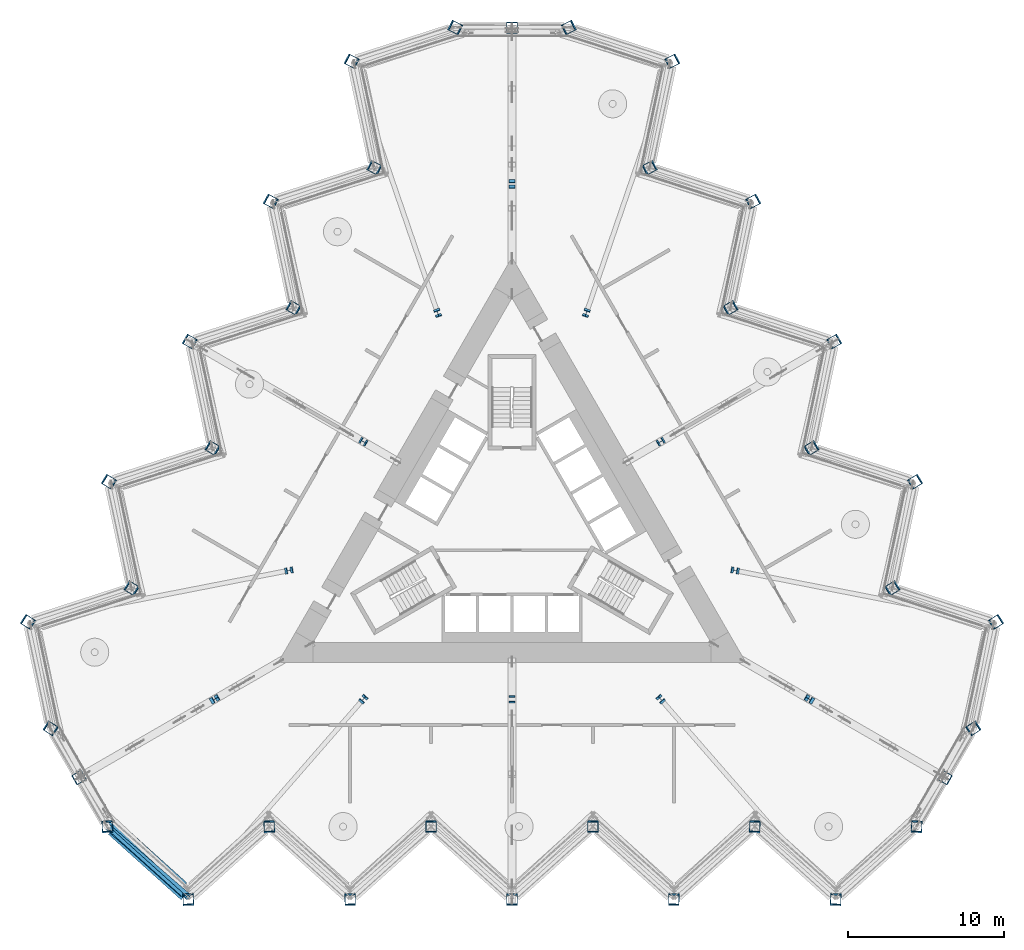
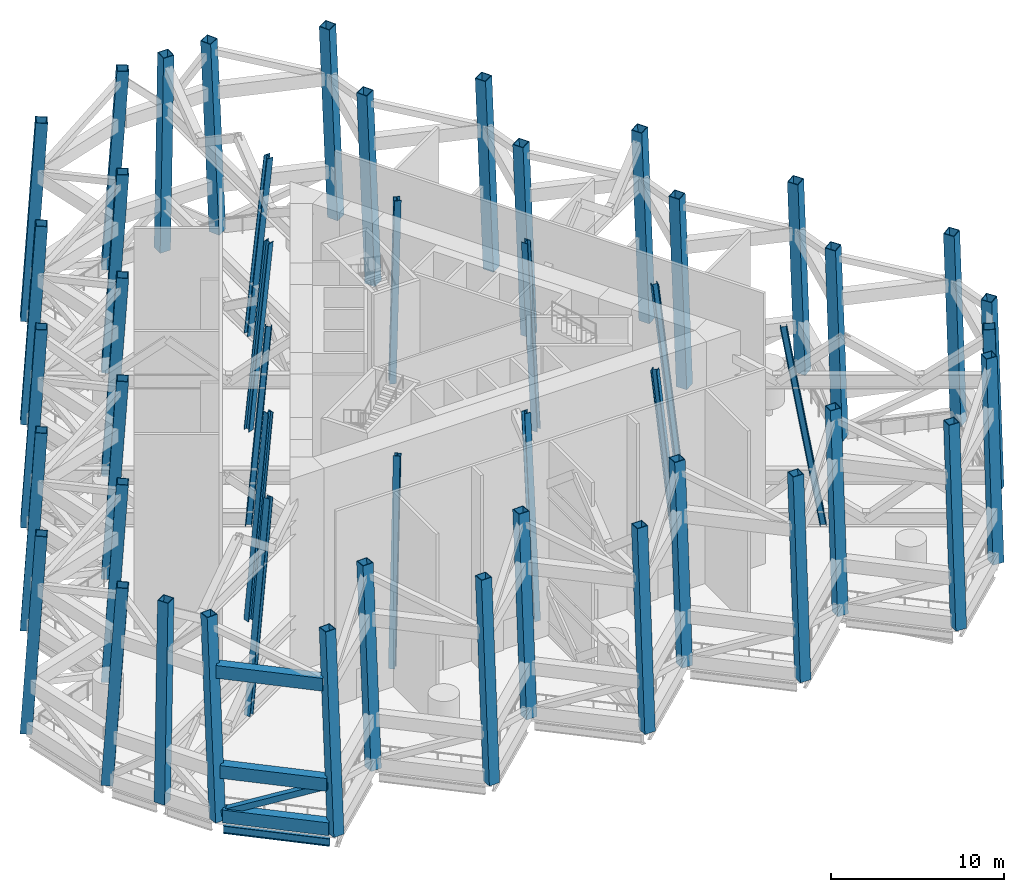
# One storey, part 1 of 19: 48 columns, 4 members, 1 beam.
"""IFC4 building model written with IfcOpenShell, lengths in metres."""

import ifcopenshell
import ifcopenshell.guid

model = None  # the IFC model being written
_history = None  # IfcOwnerHistory: only IFC2X3 demands one
_inside = {}  # id of a spatial element -> (the spatial element, [elements in it])
_under = {}  # id of a project, library or spatial element -> (it, [spatial elements below it])
_declared = {}  # id of a project -> (the project, [libraries it declares])
_typed = {}  # id of a type object -> (the type object, [elements of that type])
_made_of = {}  # id of a material, layer set ... -> (it, [elements and type objects made of it])


def new_model(schema):
    """Start an empty IFC model of exactly this schema.

    Asked for "IFC4X3", IfcOpenShell would pick the latest addendum, in which some entities
    have other attributes; the version numbers below select the first issue.
    IFC2X3 requires an IfcOwnerHistory on every rooted entity: one is made here for all.
    """
    global model, _history
    if schema == "IFC4X3":
        model = ifcopenshell.file(schema_version=(4, 3, 0, 0))
    else:
        model = ifcopenshell.file(schema=schema)
    _inside.clear()
    _under.clear()
    _declared.clear()
    _typed.clear()
    _made_of.clear()
    _history = None
    if model.schema == "IFC2X3":
        org = make("IfcOrganization", Name="unknown")
        user = make(
            "IfcPersonAndOrganization",
            ThePerson=make("IfcPerson", FamilyName="unknown"),
            TheOrganization=org,
        )
        app = make(
            "IfcApplication",
            ApplicationDeveloper=org,
            Version="unknown",
            ApplicationFullName="unknown",
            ApplicationIdentifier="unknown",
        )
        _history = make(
            "IfcOwnerHistory",
            OwningUser=user,
            OwningApplication=app,
            ChangeAction="ADDED",
            CreationDate=0,
        )
    return model


def make(cls, **values):
    """One entity of the class cls with the attributes given. An attribute that is None is left unset."""
    return model.create_entity(
        cls, **{name: value for name, value in values.items() if value is not None}
    )


def rooted(cls, **values):
    """An entity with a GlobalId (a new one), such as an element, a storey or a relation."""
    return make(cls, GlobalId=ifcopenshell.guid.new(), OwnerHistory=_history, **values)


def si_unit(unit_type, name, prefix=None):
    """IfcSIUnit, for example si_unit("LENGTHUNIT", "METRE", prefix="MILLI")."""
    return make("IfcSIUnit", UnitType=unit_type, Prefix=prefix, Name=name)


def assignment(units):
    """IfcUnitAssignment: the units of a project."""
    return None if units is None else make("IfcUnitAssignment", Units=units)


def point(xyz):
    """IfcCartesianPoint."""
    return None if xyz is None else make("IfcCartesianPoint", Coordinates=xyz)


def direction(xyz):
    """IfcDirection."""
    return None if xyz is None else make("IfcDirection", DirectionRatios=xyz)


def frame(location, z_axis=None, x_axis=None):
    """IfcAxis2Placement3D, a coordinate frame: its origin and axes. An axis left out is left unset."""
    return make(
        "IfcAxis2Placement3D",
        Location=point(location),
        Axis=direction(z_axis),
        RefDirection=direction(x_axis),
    )


def frame_2d(location, x_axis=None):
    """IfcAxis2Placement2D, a coordinate frame in the plane: its origin and x axis."""
    return make(
        "IfcAxis2Placement2D", Location=point(location), RefDirection=direction(x_axis)
    )


def origin():
    """The frame at (0, 0, 0) with its axes left unset."""
    return frame((0.0, 0.0, 0.0))


def origin_2d():
    """The frame at (0, 0) in the plane with its x axis left unset."""
    return frame_2d((0.0, 0.0))


def place(relative_to, where):
    """IfcLocalPlacement: puts the frame where relative to a parent placement (None: the world)."""
    return make(
        "IfcLocalPlacement", PlacementRelTo=relative_to, RelativePlacement=where
    )


def context(
    kind, dimensions, precision=None, world=None, true_north=None, identifier=None
):
    """IfcGeometricRepresentationContext, for example the 3D "Model" context."""
    return make(
        "IfcGeometricRepresentationContext",
        ContextIdentifier=identifier,
        ContextType=kind,
        CoordinateSpaceDimension=dimensions,
        Precision=precision,
        WorldCoordinateSystem=world,
        TrueNorth=true_north,
    )


def subcontext(parent, identifier, kind, view, scale=None):
    """IfcGeometricRepresentationSubContext, for example "Body" below "Model"."""
    return make(
        "IfcGeometricRepresentationSubContext",
        ContextIdentifier=identifier,
        ContextType=kind,
        ParentContext=parent,
        TargetScale=scale,
        TargetView=view,
    )


def project(units=None, contexts=None):
    """IfcProject with its units and contexts."""
    return rooted(
        "IfcProject",
        Name="project",
        RepresentationContexts=contexts,
        UnitsInContext=assignment(units),
    )


def spatial(cls, under=None, at=None, **own):
    """A site, building, storey or space (cls), placed at a placement, below another one or the project."""
    s = rooted(cls, ObjectPlacement=at, **own)
    if under is not None:
        _under.setdefault(under.id(), (under, []))[1].append(s)
    return s


def profile(cls, at=None, kind="AREA", **sizes):
    """A parametric profile (cls). Its sizes go by their IFC names, for example OverallWidth=200.0."""
    return make(cls, ProfileType=kind, Position=at, **sizes)


def hollow_rectangle(**sizes):
    """IfcRectangleHollowProfileDef."""
    return profile("IfcRectangleHollowProfileDef", **sizes)


def i_section(**sizes):
    """IfcIShapeProfileDef."""
    return profile("IfcIShapeProfileDef", **sizes)


def extrude(swept, where, along, depth):
    """IfcExtrudedAreaSolid: the profile swept, set in the frame where, extruded along a direction by depth."""
    return make(
        "IfcExtrudedAreaSolid",
        SweptArea=swept,
        Position=where,
        ExtrudedDirection=direction(along),
        Depth=depth,
    )


def shape(context_of_items, identifier, shape_type, items):
    """IfcShapeRepresentation: the items that make up one representation, for example the "Body"."""
    return make(
        "IfcShapeRepresentation",
        ContextOfItems=context_of_items,
        RepresentationIdentifier=identifier,
        RepresentationType=shape_type,
        Items=items,
    )


def material(Name=None, Category=None):
    """IfcMaterial."""
    return make("IfcMaterial", Name=Name, Category=Category)


def material_profile(
    of_material, cross_section, Name=None, Category=None, Priority=None
):
    """IfcMaterialProfile: a cross section and its material."""
    return make(
        "IfcMaterialProfile",
        Name=Name,
        Material=of_material,
        Profile=cross_section,
        Priority=Priority,
        Category=Category,
    )


def profile_set(profiles, Name=None, composite=None):
    """IfcMaterialProfileSet."""
    return make(
        "IfcMaterialProfileSet",
        Name=Name,
        MaterialProfiles=profiles,
        CompositeProfile=composite,
    )


def made_of(thing, what):
    """Note that an element or type object is made of a material, layer set ...; save() writes the relation."""
    if what is not None:
        _made_of.setdefault(what.id(), (what, []))[1].append(thing)
    return thing


def type_object(cls, material=None, **own):
    """A type object (cls), such as IfcWallType, which elements share."""
    return made_of(rooted(cls, **own), material)


def element(
    cls,
    number,
    at=None,
    inside=None,
    cuts=None,
    type_object=None,
    material=None,
    context=None,
    identifier="Body",
    shape_type=None,
    held_by="IfcProductDefinitionShape",
    body=None,
    shapes=None,
    **own,
):
    """One element of the class cls, such as IfcWall. Its Tag is "e" and its number.

    at: its placement. inside: the storey or other place that contains it. cuts: it is an
    opening in that element (IfcRelVoidsElement). A single representation is given by context,
    identifier, shape_type and body (its items); several are given by shapes. held_by: the class
    of the entity that holds the representations. save() writes the other relations.
    """
    e = rooted(cls, Tag="e%d" % number, ObjectPlacement=at, **own)
    if body is not None:
        shapes = [shape(context, identifier, shape_type, body)]
    if shapes is not None:
        e.Representation = make(held_by, Representations=shapes)
    if inside is not None:
        _inside.setdefault(inside.id(), (inside, []))[1].append(e)
    if cuts is not None:
        rooted(
            "IfcRelVoidsElement", RelatingBuildingElement=cuts, RelatedOpeningElement=e
        )
    if type_object is not None:
        _typed.setdefault(type_object.id(), (type_object, []))[1].append(e)
    return made_of(e, material)


def aggregate(whole, parts):
    """IfcRelAggregates: a whole, such as a stair, and the parts it consists of."""
    return rooted("IfcRelAggregates", RelatingObject=whole, RelatedObjects=parts)


def save(model, path):
    """Write the relations noted so far, then the file.

    IfcRelAggregates (storeys below a building ...), IfcRelContainedInSpatialStructure (elements
    in a storey), IfcRelDefinesByType, IfcRelAssociatesMaterial and IfcRelDeclares: one each for
    every whole, place, type object, material and project.
    """
    for whole, parts in _under.values():
        aggregate(whole, parts)
    for where, things in _inside.values():
        rooted(
            "IfcRelContainedInSpatialStructure",
            RelatedElements=things,
            RelatingStructure=where,
        )
    for kind, things in _typed.values():
        rooted("IfcRelDefinesByType", RelatedObjects=things, RelatingType=kind)
    for what, things in _made_of.values():
        rooted("IfcRelAssociatesMaterial", RelatedObjects=things, RelatingMaterial=what)
    for by, libraries in _declared.values():
        rooted("IfcRelDeclares", RelatingContext=by, RelatedDefinitions=libraries)
    model.write(path)


model = new_model("IFC4")

# Units and contexts
model_context = context("Model", 3, precision=1e-05, world=origin(), true_north=direction((0.0, 1.0)))
body_context = subcontext(model_context, "Body", "Model", "MODEL_VIEW")
ifc_project = project(units=[si_unit("LENGTHUNIT", "METRE"), si_unit("AREAUNIT", "SQUARE_METRE"), si_unit("VOLUMEUNIT", "CUBIC_METRE"), si_unit("PLANEANGLEUNIT", "RADIAN"), si_unit("MASSUNIT", "GRAM", prefix="KILO")], contexts=[model_context])

# Site, building, storey
site_placement = place(None, origin())
site = spatial("IfcSite", under=ifc_project, at=site_placement, CompositionType="ELEMENT")
building_placement = place(site_placement, origin())
building = spatial("IfcBuilding", under=site, at=building_placement, Name="Cormorant Prow Tower", CompositionType="ELEMENT")
storey_placement = place(building_placement, frame((0.0, 0.0, 287.800048828125)))
storey = spatial("IfcBuildingStorey", under=building, at=storey_placement, Name="L64", CompositionType="ELEMENT", Elevation=287.800048828125)

# Columns
ifc_material_1 = material(Name="Structural steel ASTM A572 Gr 50", Category="steel")
ifc_material_profile_1 = material_profile(ifc_material_1, hollow_rectangle(XDim=0.699951171875, YDim=0.699951171875, WallThickness=0.044921875, at=origin_2d()), Name="Box 700x700x45")
ifc_profile_set_1 = profile_set([ifc_material_profile_1], Name="Structural steel ASTM A572 Gr 50")
column_type_1 = type_object("IfcColumnType", Name="Perimeter box column 700x700x45", PredefinedType="COLUMN", material=ifc_profile_set_1)
column_1_placement = place(storey_placement, frame((-25.941162109375, -19.21533203125, 0.0), z_axis=(-0.00386357227, 0.06333125897, 0.997985082277), x_axis=(-0.998144326062, -0.060892563997, 0.0)))
element("IfcColumn", 1, at=column_1_placement, inside=storey, type_object=column_type_1, Name="Perimeter column C5 at S00 L64", PredefinedType="COLUMN", context=body_context, shape_type="SweptSolid", body=[
    extrude(hollow_rectangle(XDim=0.699951171875, YDim=0.699951171875, WallThickness=0.044921875, at=origin_2d()), frame((0.0, 0.0, 0.022216796875)), (0.0, 0.0, 1.0), 13.98388671875),
])
column_2_placement = place(storey_placement, frame((-20.7529296875, -23.886962890625, 0.0), z_axis=(-0.003097959921, 0.062655369185, 0.998030414044), x_axis=(-0.998779860207, -0.04938411531, 0.0)))
element("IfcColumn", 2, at=column_2_placement, inside=storey, type_object=column_type_1, Name="Perimeter column C5 at S01 L64", PredefinedType="COLUMN", context=body_context, shape_type="SweptSolid", body=[
    extrude(hollow_rectangle(XDim=0.699951171875, YDim=0.699951171875, WallThickness=0.044921875, at=origin_2d()), frame((0.0, 0.0, 0.02197265625)), (0.0, 0.0, 1.0), 13.983642578125),
])
column_3_placement = place(storey_placement, frame((-15.564697265625, -19.21533203125, 0.0), z_axis=(-0.002314673742, 0.063331561998, 0.997989857434), x_axis=(-0.999332771873, -0.036524116147, 0.0)))
element("IfcColumn", 3, at=column_3_placement, inside=storey, type_object=column_type_1, Name="Perimeter column C5 at S02 L64", PredefinedType="COLUMN", context=body_context, shape_type="SweptSolid", body=[
    extrude(hollow_rectangle(XDim=0.699951171875, YDim=0.699951171875, WallThickness=0.044921875, at=origin_2d()), frame((0.0, 0.0, 0.022216796875)), (0.0, 0.0, 1.0), 13.983642578125),
])
column_4_placement = place(storey_placement, frame((-10.37646484375, -23.886962890625, 0.0), z_axis=(-0.001548985535, 0.062655594684, 0.998034005983), x_axis=(-0.999694545875, -0.024714670717, 0.0)))
element("IfcColumn", 4, at=column_4_placement, inside=storey, type_object=column_type_1, Name="Perimeter column C5 at S03 L64", PredefinedType="COLUMN", context=body_context, shape_type="SweptSolid", body=[
    extrude(hollow_rectangle(XDim=0.699951171875, YDim=0.699951171875, WallThickness=0.044921875, at=origin_2d()), frame((0.0, 0.0, 0.02197265625)), (0.0, 0.0, 1.0), 13.983642578125),
])
column_5_placement = place(storey_placement, frame((-5.188232421875, -19.21533203125, 0.0), z_axis=(-0.000765758553, 0.063331713086, 0.997992238312), x_axis=(-0.999926909046, -0.012090350096, 0.0)))
element("IfcColumn", 5, at=column_5_placement, inside=storey, type_object=column_type_1, Name="Perimeter column C5 at S04 L64", PredefinedType="COLUMN", context=body_context, shape_type="SweptSolid", body=[
    extrude(hollow_rectangle(XDim=0.699951171875, YDim=0.699951171875, WallThickness=0.044921875, at=origin_2d()), frame((0.0, 0.0, 0.022216796875)), (0.0, 0.0, 1.0), 13.983642578125),
])
column_6_placement = place(storey_placement, frame((0.0, -23.886962890625, 0.0), z_axis=(0.0, 0.06265566985, 0.998035203305), x_axis=(-1.0, 0.0, 0.0)))
element("IfcColumn", 6, at=column_6_placement, inside=storey, type_object=column_type_1, Name="Perimeter column C5 at S05 L64", PredefinedType="COLUMN", context=body_context, shape_type="SweptSolid", body=[
    extrude(hollow_rectangle(XDim=0.699951171875, YDim=0.699951171875, WallThickness=0.044921875, at=origin_2d()), frame((0.0, 0.0, 0.02197265625)), (0.0, 0.0, 1.0), 13.983642578125),
])
column_7_placement = place(storey_placement, frame((5.188232421875, -19.21533203125, 0.0), z_axis=(0.000765758553, 0.063331713086, 0.997992238312), x_axis=(-0.999926909046, 0.012090350096, 0.0)))
element("IfcColumn", 7, at=column_7_placement, inside=storey, type_object=column_type_1, Name="Perimeter column C5 at S06 L64", PredefinedType="COLUMN", context=body_context, shape_type="SweptSolid", body=[
    extrude(hollow_rectangle(XDim=0.699951171875, YDim=0.699951171875, WallThickness=0.044921875, at=origin_2d()), frame((0.0, 0.0, 0.022216796875)), (0.0, 0.0, 1.0), 13.983642578125),
])
column_8_placement = place(storey_placement, frame((10.37646484375, -23.886962890625, 0.0), z_axis=(0.001548985535, 0.062655594684, 0.998034005983), x_axis=(-0.999694545875, 0.024714670717, 0.0)))
element("IfcColumn", 8, at=column_8_placement, inside=storey, type_object=column_type_1, Name="Perimeter column C5 at S07 L64", PredefinedType="COLUMN", context=body_context, shape_type="SweptSolid", body=[
    extrude(hollow_rectangle(XDim=0.699951171875, YDim=0.699951171875, WallThickness=0.044921875, at=origin_2d()), frame((0.0, 0.0, 0.02197265625)), (0.0, 0.0, 1.0), 13.983642578125),
])
column_9_placement = place(storey_placement, frame((15.564697265625, -19.21533203125, 0.0), z_axis=(0.002314673742, 0.063331561998, 0.997989857434), x_axis=(-0.999332771873, 0.036524116147, 0.0)))
element("IfcColumn", 9, at=column_9_placement, inside=storey, type_object=column_type_1, Name="Perimeter column C5 at S08 L64", PredefinedType="COLUMN", context=body_context, shape_type="SweptSolid", body=[
    extrude(hollow_rectangle(XDim=0.699951171875, YDim=0.699951171875, WallThickness=0.044921875, at=origin_2d()), frame((0.0, 0.0, 0.022216796875)), (0.0, 0.0, 1.0), 13.983642578125),
])
column_10_placement = place(storey_placement, frame((20.7529296875, -23.886962890625, 0.0), z_axis=(0.003097959921, 0.062655369185, 0.998030414044), x_axis=(-0.998779860207, 0.04938411531, 0.0)))
element("IfcColumn", 10, at=column_10_placement, inside=storey, type_object=column_type_1, Name="Perimeter column C5 at S09 L64", PredefinedType="COLUMN", context=body_context, shape_type="SweptSolid", body=[
    extrude(hollow_rectangle(XDim=0.699951171875, YDim=0.699951171875, WallThickness=0.044921875, at=origin_2d()), frame((0.0, 0.0, 0.02197265625)), (0.0, 0.0, 1.0), 13.983642578125),
])
column_11_placement = place(storey_placement, frame((25.941162109375, -19.21533203125, 0.0), z_axis=(0.00386357227, 0.06333125897, 0.997985082277), x_axis=(-0.998144326062, 0.060892563997, 0.0)))
element("IfcColumn", 11, at=column_11_placement, inside=storey, type_object=column_type_1, Name="Perimeter column C5 at ESE00 L64", PredefinedType="COLUMN", context=body_context, shape_type="SweptSolid", body=[
    extrude(hollow_rectangle(XDim=0.699951171875, YDim=0.699951171875, WallThickness=0.044921875, at=origin_2d()), frame((0.0, 0.0, 0.022216796875)), (0.0, 0.0, 1.0), 13.98388671875),
])
column_12_placement = place(storey_placement, frame((27.7763671875, -16.03662109375, 0.0), z_axis=(-0.024561129386, 0.014171893677, 0.999597873324), x_axis=(-0.499775670035, -0.866154882016, 0.0)))
element("IfcColumn", 12, at=column_12_placement, inside=storey, type_object=column_type_1, Name="Perimeter column C5 at ESE01 L64", PredefinedType="COLUMN", context=body_context, shape_type="SweptSolid", body=[
    extrude(hollow_rectangle(XDim=0.699951171875, YDim=0.699951171875, WallThickness=0.044921875, at=origin_2d()), frame((0.0, 0.0, 0.010009765625)), (0.0, 0.0, 1.0), 13.98583984375),
])
column_13_placement = place(storey_placement, frame((29.611572265625, -12.858154296875, 0.0), z_axis=(-0.052923944888, -0.035015776756, 0.997984444486), x_axis=(0.551785560328, -0.833986028308, 0.0)))
element("IfcColumn", 13, at=column_13_placement, inside=storey, type_object=column_type_1, Name="Perimeter column C5 at ENE00 L64", PredefinedType="COLUMN", context=body_context, shape_type="SweptSolid", body=[
    extrude(hollow_rectangle(XDim=0.699951171875, YDim=0.699951171875, WallThickness=0.044921875, at=origin_2d()), frame((0.0, 0.0, 0.022216796875)), (0.0, 0.0, 1.0), 13.98388671875),
])
column_14_placement = place(storey_placement, frame((31.063232421875, -6.029052734375, 0.0), z_axis=(-0.052717521298, -0.034007935495, 0.998030221622), x_axis=(0.542088955164, -0.840321108082, 0.0)))
element("IfcColumn", 14, at=column_14_placement, inside=storey, type_object=column_type_1, Name="Perimeter column C5 at ENE01 L64", PredefinedType="COLUMN", context=body_context, shape_type="SweptSolid", body=[
    extrude(hollow_rectangle(XDim=0.699951171875, YDim=0.699951171875, WallThickness=0.044921875, at=origin_2d()), frame((0.0, 0.0, 0.02197265625)), (0.0, 0.0, 1.0), 13.983642578125),
])
column_15_placement = place(storey_placement, frame((24.42333984375, -3.871826171875, 0.0), z_axis=(-0.05368997696, -0.033675885062, 0.997989639796), x_axis=(0.531355846231, -0.84714872642, 0.0)))
element("IfcColumn", 15, at=column_15_placement, inside=storey, type_object=column_type_1, Name="Perimeter column C5 at ENE02 L64", PredefinedType="COLUMN", context=body_context, shape_type="SweptSolid", body=[
    extrude(hollow_rectangle(XDim=0.699951171875, YDim=0.699951171875, WallThickness=0.044921875, at=origin_2d()), frame((0.0, 0.0, 0.022216796875)), (0.0, 0.0, 1.0), 13.983642578125),
])
column_16_placement = place(storey_placement, frame((25.875, 2.957275390625, 0.0), z_axis=(-0.053483523646, -0.032667938133, 0.998034227127), x_axis=(0.521259032732, -0.8533985123, 0.0)))
element("IfcColumn", 16, at=column_16_placement, inside=storey, type_object=column_type_1, Name="Perimeter column C5 at ENE03 L64", PredefinedType="COLUMN", context=body_context, shape_type="SweptSolid", body=[
    extrude(hollow_rectangle(XDim=0.699951171875, YDim=0.699951171875, WallThickness=0.044921875, at=origin_2d()), frame((0.0, 0.0, 0.02197265625)), (0.0, 0.0, 1.0), 13.983642578125),
])
column_17_placement = place(storey_placement, frame((19.235107421875, 5.114501953125, 0.0), z_axis=(-0.054473239256, -0.032335871737, 0.99799151179), x_axis=(0.510449885427, -0.859907503437, 0.0)))
element("IfcColumn", 17, at=column_17_placement, inside=storey, type_object=column_type_1, Name="Perimeter column C5 at ENE04 L64", PredefinedType="COLUMN", context=body_context, shape_type="SweptSolid", body=[
    extrude(hollow_rectangle(XDim=0.699951171875, YDim=0.699951171875, WallThickness=0.044921875, at=origin_2d()), frame((0.0, 0.0, 0.022216796875)), (0.0, 0.0, 1.0), 13.983642578125),
])
column_18_placement = place(storey_placement, frame((20.686767578125, 11.943359375, 0.0), z_axis=(-0.054266785598, -0.031310438516, 0.998035456495), x_axis=(0.499754518359, -0.866167086294, 0.0)))
element("IfcColumn", 18, at=column_18_placement, inside=storey, type_object=column_type_1, Name="Perimeter column C5 at ENE05 L64", PredefinedType="COLUMN", context=body_context, shape_type="SweptSolid", body=[
    extrude(hollow_rectangle(XDim=0.699951171875, YDim=0.699951171875, WallThickness=0.044921875, at=origin_2d()), frame((0.0, 0.0, 0.02197265625)), (0.0, 0.0, 1.0), 13.983642578125),
])
column_19_placement = place(storey_placement, frame((14.046875, 14.100830078125, 0.0), z_axis=(-0.055239020901, -0.030995808515, 0.997991939058), x_axis=(0.48934782111, -0.872088705336, 0.0)))
element("IfcColumn", 19, at=column_19_placement, inside=storey, type_object=column_type_1, Name="Perimeter column C5 at ENE06 L64", PredefinedType="COLUMN", context=body_context, shape_type="SweptSolid", body=[
    extrude(hollow_rectangle(XDim=0.699951171875, YDim=0.699951171875, WallThickness=0.044921875, at=origin_2d()), frame((0.0, 0.0, 0.022216796875)), (0.0, 0.0, 1.0), 13.983642578125),
])
column_20_placement = place(storey_placement, frame((15.49853515625, 20.9296875, 0.0), z_axis=(-0.055032505232, -0.029987668094, 0.998034149281), x_axis=(0.478482407054, -0.878097139353, 0.0)))
element("IfcColumn", 20, at=column_20_placement, inside=storey, type_object=column_type_1, Name="Perimeter column C5 at ENE07 L64", PredefinedType="COLUMN", context=body_context, shape_type="SweptSolid", body=[
    extrude(hollow_rectangle(XDim=0.699951171875, YDim=0.699951171875, WallThickness=0.044921875, at=origin_2d()), frame((0.0, 0.0, 0.02197265625)), (0.0, 0.0, 1.0), 13.983642578125),
])
column_21_placement = place(storey_placement, frame((8.858642578125, 23.087158203125, 0.0), z_axis=(-0.056004640875, -0.029673061744, 0.997989473696), x_axis=(0.468177871228, -0.883634246107, 0.0)))
element("IfcColumn", 21, at=column_21_placement, inside=storey, type_object=column_type_1, Name="Perimeter column C5 at ENE08 L64", PredefinedType="COLUMN", context=body_context, shape_type="SweptSolid", body=[
    extrude(hollow_rectangle(XDim=0.699951171875, YDim=0.699951171875, WallThickness=0.044921875, at=origin_2d()), frame((0.0, 0.0, 0.022216796875)), (0.0, 0.0, 1.0), 13.983642578125),
])
column_22_placement = place(storey_placement, frame((10.310302734375, 29.916015625, 0.0), z_axis=(-0.055815470409, -0.028647416369, 0.998030039026), x_axis=(0.456620749228, -0.889661447616, 0.0)))
element("IfcColumn", 22, at=column_22_placement, inside=storey, type_object=column_type_1, Name="Perimeter column C5 at ENE09 L64", PredefinedType="COLUMN", context=body_context, shape_type="SweptSolid", body=[
    extrude(hollow_rectangle(XDim=0.699951171875, YDim=0.699951171875, WallThickness=0.044921875, at=origin_2d()), frame((0.0, 0.0, 0.02197265625)), (0.0, 0.0, 1.0), 13.983642578125),
])
column_23_placement = place(storey_placement, frame((3.67041015625, 32.073486328125, 0.0), z_axis=(-0.056787499829, -0.028332837794, 0.997984183324), x_axis=(0.446445588172, -0.894810782681, 0.0)))
element("IfcColumn", 23, at=column_23_placement, inside=storey, type_object=column_type_1, Name="Perimeter column C5 at N00 L64", PredefinedType="COLUMN", context=body_context, shape_type="SweptSolid", body=[
    extrude(hollow_rectangle(XDim=0.699951171875, YDim=0.699951171875, WallThickness=0.044921875, at=origin_2d()), frame((0.0, 0.0, 0.022216796875)), (0.0, 0.0, 1.0), 13.98388671875),
])
column_24_placement = place(storey_placement, frame((0.0, 32.073486328125, 0.0), z_axis=(0.0, -0.028378632737, 0.999597245496), x_axis=(1.0, 0.0, 0.0)))
element("IfcColumn", 24, at=column_24_placement, inside=storey, type_object=column_type_1, Name="Perimeter column C5 at N01 L64", PredefinedType="COLUMN", context=body_context, shape_type="SweptSolid", body=[
    extrude(hollow_rectangle(XDim=0.699951171875, YDim=0.699951171875, WallThickness=0.044921875, at=origin_2d()), frame((0.0, 0.0, 0.010009765625)), (0.0, 0.0, 1.0), 13.98583984375),
])
column_25_placement = place(storey_placement, frame((-3.67041015625, 32.073486328125, 0.0), z_axis=(0.056787499829, -0.028332837794, 0.997984183324), x_axis=(0.446445588172, 0.894810782681, 0.0)))
element("IfcColumn", 25, at=column_25_placement, inside=storey, type_object=column_type_1, Name="Perimeter column C5 at WNW00 L64", PredefinedType="COLUMN", context=body_context, shape_type="SweptSolid", body=[
    extrude(hollow_rectangle(XDim=0.699951171875, YDim=0.699951171875, WallThickness=0.044921875, at=origin_2d()), frame((0.0, 0.0, 0.022216796875)), (0.0, 0.0, 1.0), 13.98388671875),
])
column_26_placement = place(storey_placement, frame((-10.310302734375, 29.916015625, 0.0), z_axis=(0.055815470409, -0.028647416369, 0.998030039026), x_axis=(0.456620749228, 0.889661447616, 0.0)))
element("IfcColumn", 26, at=column_26_placement, inside=storey, type_object=column_type_1, Name="Perimeter column C5 at WNW01 L64", PredefinedType="COLUMN", context=body_context, shape_type="SweptSolid", body=[
    extrude(hollow_rectangle(XDim=0.699951171875, YDim=0.699951171875, WallThickness=0.044921875, at=origin_2d()), frame((0.0, 0.0, 0.02197265625)), (0.0, 0.0, 1.0), 13.983642578125),
])
column_27_placement = place(storey_placement, frame((-8.858642578125, 23.087158203125, 0.0), z_axis=(0.056004640875, -0.029673061744, 0.997989473696), x_axis=(0.468177871228, 0.883634246107, 0.0)))
element("IfcColumn", 27, at=column_27_placement, inside=storey, type_object=column_type_1, Name="Perimeter column C5 at WNW02 L64", PredefinedType="COLUMN", context=body_context, shape_type="SweptSolid", body=[
    extrude(hollow_rectangle(XDim=0.699951171875, YDim=0.699951171875, WallThickness=0.044921875, at=origin_2d()), frame((0.0, 0.0, 0.022216796875)), (0.0, 0.0, 1.0), 13.983642578125),
])
column_28_placement = place(storey_placement, frame((-15.49853515625, 20.9296875, 0.0), z_axis=(0.055032505232, -0.029987668094, 0.998034149281), x_axis=(0.478482407054, 0.878097139353, 0.0)))
element("IfcColumn", 28, at=column_28_placement, inside=storey, type_object=column_type_1, Name="Perimeter column C5 at WNW03 L64", PredefinedType="COLUMN", context=body_context, shape_type="SweptSolid", body=[
    extrude(hollow_rectangle(XDim=0.699951171875, YDim=0.699951171875, WallThickness=0.044921875, at=origin_2d()), frame((0.0, 0.0, 0.02197265625)), (0.0, 0.0, 1.0), 13.983642578125),
])
column_29_placement = place(storey_placement, frame((-14.046875, 14.100830078125, 0.0), z_axis=(0.055239020901, -0.030995808515, 0.997991939058), x_axis=(0.48934782111, 0.872088705336, 0.0)))
element("IfcColumn", 29, at=column_29_placement, inside=storey, type_object=column_type_1, Name="Perimeter column C5 at WNW04 L64", PredefinedType="COLUMN", context=body_context, shape_type="SweptSolid", body=[
    extrude(hollow_rectangle(XDim=0.699951171875, YDim=0.699951171875, WallThickness=0.044921875, at=origin_2d()), frame((0.0, 0.0, 0.022216796875)), (0.0, 0.0, 1.0), 13.983642578125),
])
column_30_placement = place(storey_placement, frame((-20.686767578125, 11.943359375, 0.0), z_axis=(0.054266785598, -0.031310438516, 0.998035456495), x_axis=(0.499754518359, 0.866167086294, 0.0)))
element("IfcColumn", 30, at=column_30_placement, inside=storey, type_object=column_type_1, Name="Perimeter column C5 at WNW05 L64", PredefinedType="COLUMN", context=body_context, shape_type="SweptSolid", body=[
    extrude(hollow_rectangle(XDim=0.699951171875, YDim=0.699951171875, WallThickness=0.044921875, at=origin_2d()), frame((0.0, 0.0, 0.02197265625)), (0.0, 0.0, 1.0), 13.983642578125),
])
column_31_placement = place(storey_placement, frame((-19.235107421875, 5.114501953125, 0.0), z_axis=(0.054473239256, -0.032335871737, 0.99799151179), x_axis=(0.510449885427, 0.859907503437, 0.0)))
element("IfcColumn", 31, at=column_31_placement, inside=storey, type_object=column_type_1, Name="Perimeter column C5 at WNW06 L64", PredefinedType="COLUMN", context=body_context, shape_type="SweptSolid", body=[
    extrude(hollow_rectangle(XDim=0.699951171875, YDim=0.699951171875, WallThickness=0.044921875, at=origin_2d()), frame((0.0, 0.0, 0.022216796875)), (0.0, 0.0, 1.0), 13.983642578125),
])
column_32_placement = place(storey_placement, frame((-25.875, 2.957275390625, 0.0), z_axis=(0.053483523646, -0.032667938133, 0.998034227127), x_axis=(0.521259032732, 0.8533985123, 0.0)))
element("IfcColumn", 32, at=column_32_placement, inside=storey, type_object=column_type_1, Name="Perimeter column C5 at WNW07 L64", PredefinedType="COLUMN", context=body_context, shape_type="SweptSolid", body=[
    extrude(hollow_rectangle(XDim=0.699951171875, YDim=0.699951171875, WallThickness=0.044921875, at=origin_2d()), frame((0.0, 0.0, 0.02197265625)), (0.0, 0.0, 1.0), 13.983642578125),
])
column_33_placement = place(storey_placement, frame((-24.42333984375, -3.871826171875, 0.0), z_axis=(0.05368997696, -0.033675885062, 0.997989639796), x_axis=(0.531355846231, 0.84714872642, 0.0)))
element("IfcColumn", 33, at=column_33_placement, inside=storey, type_object=column_type_1, Name="Perimeter column C5 at WNW08 L64", PredefinedType="COLUMN", context=body_context, shape_type="SweptSolid", body=[
    extrude(hollow_rectangle(XDim=0.699951171875, YDim=0.699951171875, WallThickness=0.044921875, at=origin_2d()), frame((0.0, 0.0, 0.022216796875)), (0.0, 0.0, 1.0), 13.983642578125),
])
column_34_placement = place(storey_placement, frame((-31.063232421875, -6.029052734375, 0.0), z_axis=(0.052717521298, -0.034007935495, 0.998030221622), x_axis=(0.542088955164, 0.840321108082, 0.0)))
element("IfcColumn", 34, at=column_34_placement, inside=storey, type_object=column_type_1, Name="Perimeter column C5 at WNW09 L64", PredefinedType="COLUMN", context=body_context, shape_type="SweptSolid", body=[
    extrude(hollow_rectangle(XDim=0.699951171875, YDim=0.699951171875, WallThickness=0.044921875, at=origin_2d()), frame((0.0, 0.0, 0.02197265625)), (0.0, 0.0, 1.0), 13.983642578125),
])
column_35_placement = place(storey_placement, frame((-29.611572265625, -12.858154296875, 0.0), z_axis=(0.052923944888, -0.035015776756, 0.997984444486), x_axis=(0.551785560328, 0.833986028308, 0.0)))
element("IfcColumn", 35, at=column_35_placement, inside=storey, type_object=column_type_1, Name="Perimeter column C5 at WSW00 L64", PredefinedType="COLUMN", context=body_context, shape_type="SweptSolid", body=[
    extrude(hollow_rectangle(XDim=0.699951171875, YDim=0.699951171875, WallThickness=0.044921875, at=origin_2d()), frame((0.0, 0.0, 0.022216796875)), (0.0, 0.0, 1.0), 13.98388671875),
])
column_36_placement = place(storey_placement, frame((-27.7763671875, -16.03662109375, 0.0), z_axis=(0.024561129386, 0.014171893677, 0.999597873324), x_axis=(-0.499775670035, 0.866154882016, 0.0)))
element("IfcColumn", 36, at=column_36_placement, inside=storey, type_object=column_type_1, Name="Perimeter column C5 at WSW01 L64", PredefinedType="COLUMN", context=body_context, shape_type="SweptSolid", body=[
    extrude(hollow_rectangle(XDim=0.699951171875, YDim=0.699951171875, WallThickness=0.044921875, at=origin_2d()), frame((0.0, 0.0, 0.010009765625)), (0.0, 0.0, 1.0), 13.98583984375),
])
ifc_material_2 = material(Name="Structural steel ASTM A992 Gr 50", Category="steel")
ifc_material_profile_2 = material_profile(ifc_material_2, i_section(OverallWidth=0.39892578125, OverallDepth=0.393310546875, WebThickness=0.022705078125, FlangeThickness=0.03662109375, at=origin_2d()), Name="W14x193")
ifc_profile_set_2 = profile_set([ifc_material_profile_2], Name="Structural steel ASTM A992 Gr 50")
column_type_2 = type_object("IfcColumnType", Name="Ring column W14x193", PredefinedType="COLUMN", material=ifc_profile_set_2)
column_37_placement = place(storey_placement, frame((0.0, 22.12060546875, 0.0), z_axis=(0.0, -0.162769302854, 0.986664154638), x_axis=(1.0, 0.0, 0.0)))
element("IfcColumn", 37, at=column_37_placement, inside=storey, type_object=column_type_2, Name="Ring column 1 L64", PredefinedType="COLUMN", context=body_context, shape_type="SweptSolid", body=[
    extrude(i_section(OverallWidth=0.39892578125, OverallDepth=0.393310546875, WebThickness=0.022705078125, FlangeThickness=0.03662109375, at=origin_2d()), frame((0.0, 0.0, 0.032470703125)), (0.0, 0.0, 1.0), 14.124267578125),
])
column_38_placement = place(storey_placement, frame((-4.789306640625, 13.8251953125, 0.0), z_axis=(0.035503584336, -0.102488862595, 0.994100361404), x_axis=(0.944910039342, 0.327330135415, 0.0)))
element("IfcColumn", 38, at=column_38_placement, inside=storey, type_object=column_type_2, Name="Ring column 2 L64", PredefinedType="COLUMN", context=body_context, shape_type="SweptSolid", body=[
    extrude(i_section(OverallWidth=0.39892578125, OverallDepth=0.393310546875, WebThickness=0.022705078125, FlangeThickness=0.03662109375, at=origin_2d()), frame((0.0, 0.0, 0.021484375)), (0.0, 0.0, 1.0), 14.040283203125),
])
column_39_placement = place(storey_placement, frame((-9.578369140625, 5.530029296875, 0.0), z_axis=(0.071186891711, -0.041085403321, 0.996616483951), x_axis=(0.499868889286, 0.866101087359, 0.0)))
element("IfcColumn", 39, at=column_39_placement, inside=storey, type_object=column_type_2, Name="Ring column 3 L64", PredefinedType="COLUMN", context=body_context, shape_type="SweptSolid", body=[
    extrude(i_section(OverallWidth=0.39892578125, OverallDepth=0.393310546875, WebThickness=0.022705078125, FlangeThickness=0.03662109375, at=origin_2d()), frame((0.0, 0.0, 0.01611328125)), (0.0, 0.0, 1.0), 14.01513671875),
])
column_40_placement = place(storey_placement, frame((-14.36767578125, -2.76513671875, 0.0), z_axis=(0.106510718165, 0.020508167251, 0.99410003621), x_axis=(-0.189072648064, 0.981963102033, 0.0)))
element("IfcColumn", 40, at=column_40_placement, inside=storey, type_object=column_type_2, Name="Ring column 4 L64", PredefinedType="COLUMN", context=body_context, shape_type="SweptSolid", body=[
    extrude(i_section(OverallWidth=0.39892578125, OverallDepth=0.393310546875, WebThickness=0.022705078125, FlangeThickness=0.03662109375, at=origin_2d()), frame((0.0, 0.0, 0.021484375)), (0.0, 0.0, 1.0), 14.040283203125),
])
column_41_placement = place(storey_placement, frame((-19.156982421875, -11.060302734375, 0.0), z_axis=(0.140952227313, 0.081384769921, 0.986665591191), x_axis=(-0.500027479704, 0.866009537788, 0.0)))
element("IfcColumn", 41, at=column_41_placement, inside=storey, type_object=column_type_2, Name="Ring column 5 L64", PredefinedType="COLUMN", context=body_context, shape_type="SweptSolid", body=[
    extrude(i_section(OverallWidth=0.39892578125, OverallDepth=0.393310546875, WebThickness=0.022705078125, FlangeThickness=0.03662109375, at=origin_2d()), frame((0.0, 0.0, 0.032470703125)), (0.0, 0.0, 1.0), 14.124267578125),
])
column_42_placement = place(storey_placement, frame((-9.578369140625, -11.060302734375, 0.0), z_axis=(0.071007125267, 0.081997974246, 0.994099753737), x_axis=(-0.755952685413, 0.654626257812, 0.0)))
element("IfcColumn", 42, at=column_42_placement, inside=storey, type_object=column_type_2, Name="Ring column 6 L64", PredefinedType="COLUMN", context=body_context, shape_type="SweptSolid", body=[
    extrude(i_section(OverallWidth=0.39892578125, OverallDepth=0.393310546875, WebThickness=0.022705078125, FlangeThickness=0.03662109375, at=origin_2d()), frame((0.0, 0.0, 0.021484375)), (0.0, 0.0, 1.0), 14.040283203125),
])
column_43_placement = place(storey_placement, frame((0.0, -11.060302734375, 0.0), z_axis=(0.0, 0.082205476627, 0.996615402055), x_axis=(-1.0, 0.0, 0.0)))
element("IfcColumn", 43, at=column_43_placement, inside=storey, type_object=column_type_2, Name="Ring column 7 L64", PredefinedType="COLUMN", context=body_context, shape_type="SweptSolid", body=[
    extrude(i_section(OverallWidth=0.39892578125, OverallDepth=0.393310546875, WebThickness=0.022705078125, FlangeThickness=0.03662109375, at=origin_2d()), frame((0.0, 0.0, 0.01611328125)), (0.0, 0.0, 1.0), 14.01513671875),
])
column_44_placement = place(storey_placement, frame((9.578369140625, -11.060302734375, 0.0), z_axis=(-0.071007125267, 0.081997974246, 0.994099753737), x_axis=(-0.755952685413, -0.654626257812, 0.0)))
element("IfcColumn", 44, at=column_44_placement, inside=storey, type_object=column_type_2, Name="Ring column 8 L64", PredefinedType="COLUMN", context=body_context, shape_type="SweptSolid", body=[
    extrude(i_section(OverallWidth=0.39892578125, OverallDepth=0.393310546875, WebThickness=0.022705078125, FlangeThickness=0.03662109375, at=origin_2d()), frame((0.0, 0.0, 0.021484375)), (0.0, 0.0, 1.0), 14.040283203125),
])
column_45_placement = place(storey_placement, frame((19.156982421875, -11.060302734375, 0.0), z_axis=(-0.140952227313, 0.081384769921, 0.986665591191), x_axis=(-0.500027479704, -0.866009537788, 0.0)))
element("IfcColumn", 45, at=column_45_placement, inside=storey, type_object=column_type_2, Name="Ring column 9 L64", PredefinedType="COLUMN", context=body_context, shape_type="SweptSolid", body=[
    extrude(i_section(OverallWidth=0.39892578125, OverallDepth=0.393310546875, WebThickness=0.022705078125, FlangeThickness=0.03662109375, at=origin_2d()), frame((0.0, 0.0, 0.032470703125)), (0.0, 0.0, 1.0), 14.124267578125),
])
column_46_placement = place(storey_placement, frame((14.36767578125, -2.76513671875, 0.0), z_axis=(-0.106510718165, 0.020508167251, 0.99410003621), x_axis=(-0.189072648064, -0.981963102033, 0.0)))
element("IfcColumn", 46, at=column_46_placement, inside=storey, type_object=column_type_2, Name="Ring column 10 L64", PredefinedType="COLUMN", context=body_context, shape_type="SweptSolid", body=[
    extrude(i_section(OverallWidth=0.39892578125, OverallDepth=0.393310546875, WebThickness=0.022705078125, FlangeThickness=0.03662109375, at=origin_2d()), frame((0.0, 0.0, 0.021484375)), (0.0, 0.0, 1.0), 14.040283203125),
])
column_47_placement = place(storey_placement, frame((9.578369140625, 5.530029296875, 0.0), z_axis=(-0.071186891711, -0.041085403321, 0.996616483951), x_axis=(0.499868889286, -0.866101087359, 0.0)))
element("IfcColumn", 47, at=column_47_placement, inside=storey, type_object=column_type_2, Name="Ring column 11 L64", PredefinedType="COLUMN", context=body_context, shape_type="SweptSolid", body=[
    extrude(i_section(OverallWidth=0.39892578125, OverallDepth=0.393310546875, WebThickness=0.022705078125, FlangeThickness=0.03662109375, at=origin_2d()), frame((0.0, 0.0, 0.01611328125)), (0.0, 0.0, 1.0), 14.01513671875),
])
column_48_placement = place(storey_placement, frame((4.789306640625, 13.8251953125, 0.0), z_axis=(-0.035503584336, -0.102488862595, 0.994100361404), x_axis=(0.944910039342, -0.327330135415, 0.0)))
element("IfcColumn", 48, at=column_48_placement, inside=storey, type_object=column_type_2, Name="Ring column 12 L64", PredefinedType="COLUMN", context=body_context, shape_type="SweptSolid", body=[
    extrude(i_section(OverallWidth=0.39892578125, OverallDepth=0.393310546875, WebThickness=0.022705078125, FlangeThickness=0.03662109375, at=origin_2d()), frame((0.0, 0.0, 0.021484375)), (0.0, 0.0, 1.0), 14.040283203125),
])

# Members
ifc_material_3 = material(Name="Structural steel ASTM A572 Gr 50", Category="steel")
ifc_material_profile_3 = material_profile(ifc_material_3, hollow_rectangle(XDim=0.60009765625, YDim=0.89990234375, WallThickness=0.06005859375, at=origin_2d()), Name="Box 900x600x60")
ifc_profile_set_3 = profile_set([ifc_material_profile_3], Name="Structural steel ASTM A572 Gr 50")
member_type_1 = type_object("IfcMemberType", Name="Belt truss bottom chord 900x600x60", PredefinedType="CHORD", material=ifc_profile_set_3)
member_1_placement = place(storey_placement, frame((-25.68115234375, -19.44970703125, 0.449951171875), z_axis=(0.743156918576, -0.669117175368, 0.0), x_axis=(0.669117175368, 0.743156918576, 0.0)))
element("IfcMember", 49, at=member_1_placement, inside=storey, type_object=member_type_1, Name="Belt truss bottom chord S00-S01 L64", PredefinedType="CHORD", context=body_context, shape_type="SweptSolid", body=[
    extrude(hollow_rectangle(XDim=0.60009765625, YDim=0.89990234375, WallThickness=0.06005859375, at=origin_2d()), origin(), (0.0, 0.0, 1.0), 6.281494140625),
])
member_2_placement = place(storey_placement, frame((-25.6943359375, -19.230712890625, 3.449951171875), z_axis=(0.743156990302, -0.669117095706, 0.0), x_axis=(0.669117095706, 0.743156990302, 0.0)))
element("IfcMember", 50, at=member_2_placement, inside=storey, type_object=member_type_1, Name="Belt truss intermediate chord S00-S01 L64 level 1", PredefinedType="CHORD", context=body_context, shape_type="SweptSolid", body=[
    extrude(hollow_rectangle(XDim=0.60009765625, YDim=0.89990234375, WallThickness=0.06005859375, at=origin_2d()), origin(), (0.0, 0.0, 1.0), 6.284912109375),
])
member_3_placement = place(storey_placement, frame((-25.720703125, -18.799072265625, 10.25), z_axis=(0.743153289004, -0.669121206541, 0.0), x_axis=(0.669121206541, 0.743153289004, 0.0)))
element("IfcMember", 51, at=member_3_placement, inside=storey, type_object=member_type_1, Name="Belt truss intermediate chord S00-S01 L64 level 2", PredefinedType="CHORD", context=body_context, shape_type="SweptSolid", body=[
    extrude(hollow_rectangle(XDim=0.60009765625, YDim=0.89990234375, WallThickness=0.06005859375, at=origin_2d()), origin(), (0.0, 0.0, 1.0), 6.292236328125),
])
ifc_material_4 = material(Name="Structural steel ASTM A500 Gr C", Category="steel")
ifc_material_profile_4 = material_profile(ifc_material_4, hollow_rectangle(XDim=0.406494140625, YDim=0.406494140625, WallThickness=0.014892578125, at=origin_2d()), Name="HSS16x16x5/8")
ifc_profile_set_4 = profile_set([ifc_material_profile_4], Name="Structural steel ASTM A500 Gr C")
member_type_2 = type_object("IfcMemberType", Name="Belt truss strut HSS16x16x5/8", PredefinedType="STRUT", material=ifc_profile_set_4)
member_4_placement = place(storey_placement, frame((-25.94287109375, -19.186767578125, 0.449951171875), z_axis=(0.69255018816, -0.599542010255, 0.401152857175), x_axis=(0.654513894474, 0.756049973176, 0.0)))
element("IfcMember", 52, at=member_4_placement, inside=storey, type_object=member_type_2, Name="Belt truss strut S00-S01 L64 lower girder band", PredefinedType="STRUT", context=body_context, shape_type="SweptSolid", body=[
    extrude(hollow_rectangle(XDim=0.406494140625, YDim=0.406494140625, WallThickness=0.014892578125, at=origin_2d()), origin(), (0.0, 0.0, 1.0), 7.478515625),
])

# Beam
ifc_material_5 = material(Name="Structural steel ASTM A992 Gr 50", Category="steel")
ifc_material_profile_5 = material_profile(ifc_material_5, i_section(OverallWidth=0.2138671875, OverallDepth=0.549072265625, WebThickness=0.0146484375, FlangeThickness=0.023681640625, at=origin_2d()), Name="W21x93")
ifc_profile_set_5 = profile_set([ifc_material_profile_5], Name="Structural steel ASTM A992 Gr 50")
beam_type = type_object("IfcBeamType", Name="Spandrel beam W21x93", PredefinedType="SPANDREL", material=ifc_profile_set_5)
beam_placement = place(storey_placement, frame((-25.68115234375, -19.44970703125, -0.62451171875), z_axis=(0.743156918576, -0.669117175368, 0.0), x_axis=(0.669117175368, 0.743156918576, 0.0)))
element("IfcBeam", 53, at=beam_placement, inside=storey, type_object=beam_type, Name="Spandrel beam SB2 S00-S01 L64", PredefinedType="SPANDREL", context=body_context, shape_type="SweptSolid", body=[
    extrude(i_section(OverallWidth=0.2138671875, OverallDepth=0.549072265625, WebThickness=0.0146484375, FlangeThickness=0.023681640625, at=origin_2d()), origin(), (0.0, 0.0, 1.0), 6.281494140625),
])

save(model, "model.ifc")
